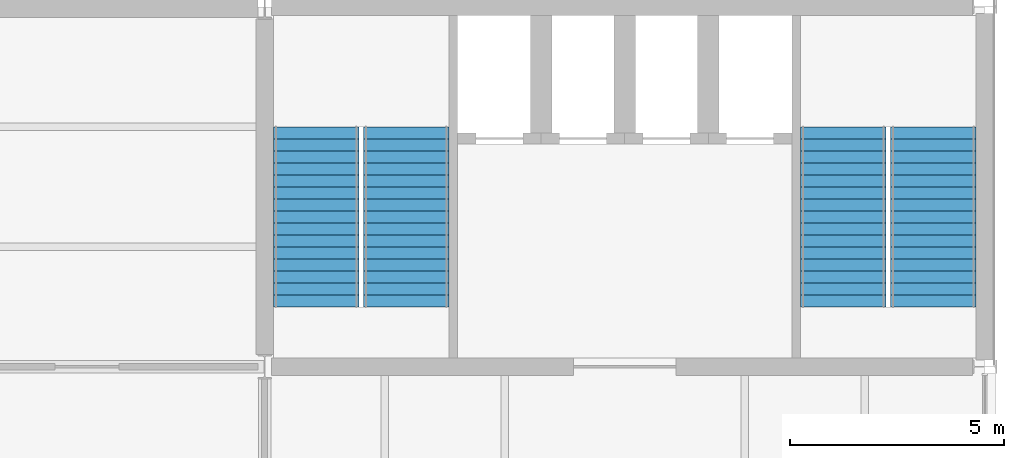
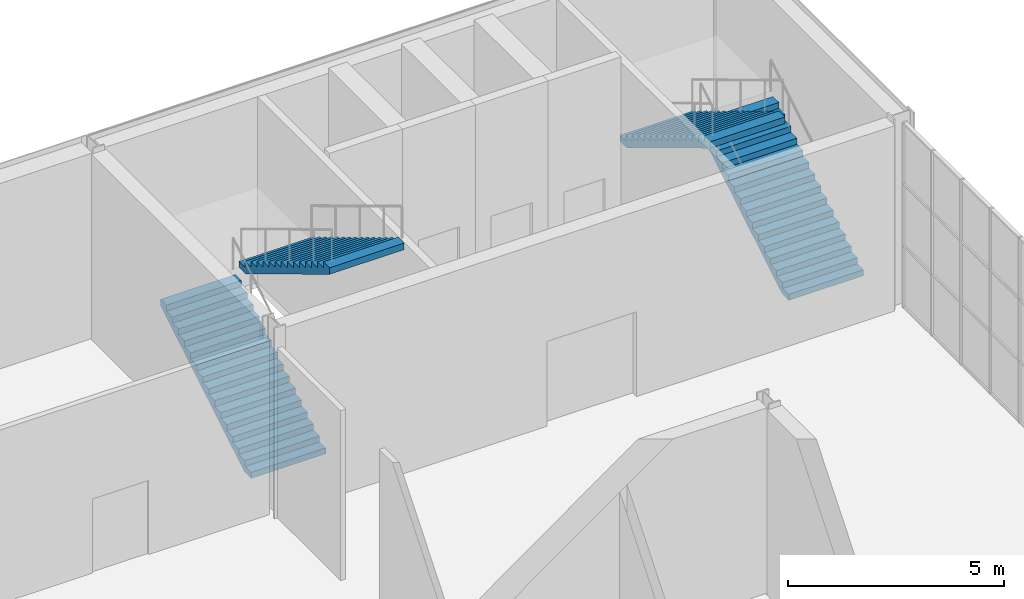
# One storey, part 46 of 64: 4 stair flights, 2 elements without a shape of their own.
"""IFC4 building model written with IfcOpenShell, lengths in metres."""

import ifcopenshell
import ifcopenshell.guid

model = None  # the IFC model being written
_history = None  # IfcOwnerHistory: only IFC2X3 demands one
_inside = {}  # id of a spatial element -> (the spatial element, [elements in it])
_under = {}  # id of a project, library or spatial element -> (it, [spatial elements below it])
_declared = {}  # id of a project -> (the project, [libraries it declares])
_typed = {}  # id of a type object -> (the type object, [elements of that type])
_made_of = {}  # id of a material, layer set ... -> (it, [elements and type objects made of it])


def new_model(schema):
    """Start an empty IFC model of exactly this schema.

    Asked for "IFC4X3", IfcOpenShell would pick the latest addendum, in which some entities
    have other attributes; the version numbers below select the first issue.
    IFC2X3 requires an IfcOwnerHistory on every rooted entity: one is made here for all.
    """
    global model, _history
    if schema == "IFC4X3":
        model = ifcopenshell.file(schema_version=(4, 3, 0, 0))
    else:
        model = ifcopenshell.file(schema=schema)
    _inside.clear()
    _under.clear()
    _declared.clear()
    _typed.clear()
    _made_of.clear()
    _history = None
    if model.schema == "IFC2X3":
        org = make("IfcOrganization", Name="unknown")
        user = make(
            "IfcPersonAndOrganization",
            ThePerson=make("IfcPerson", FamilyName="unknown"),
            TheOrganization=org,
        )
        app = make(
            "IfcApplication",
            ApplicationDeveloper=org,
            Version="unknown",
            ApplicationFullName="unknown",
            ApplicationIdentifier="unknown",
        )
        _history = make(
            "IfcOwnerHistory",
            OwningUser=user,
            OwningApplication=app,
            ChangeAction="ADDED",
            CreationDate=0,
        )
    return model


def make(cls, **values):
    """One entity of the class cls with the attributes given. An attribute that is None is left unset."""
    return model.create_entity(
        cls, **{name: value for name, value in values.items() if value is not None}
    )


def rooted(cls, **values):
    """An entity with a GlobalId (a new one), such as an element, a storey or a relation."""
    return make(cls, GlobalId=ifcopenshell.guid.new(), OwnerHistory=_history, **values)


def si_unit(unit_type, name, prefix=None):
    """IfcSIUnit, for example si_unit("LENGTHUNIT", "METRE", prefix="MILLI")."""
    return make("IfcSIUnit", UnitType=unit_type, Prefix=prefix, Name=name)


def assignment(units):
    """IfcUnitAssignment: the units of a project."""
    return None if units is None else make("IfcUnitAssignment", Units=units)


def point(xyz):
    """IfcCartesianPoint."""
    return None if xyz is None else make("IfcCartesianPoint", Coordinates=xyz)


def direction(xyz):
    """IfcDirection."""
    return None if xyz is None else make("IfcDirection", DirectionRatios=xyz)


def frame(location, z_axis=None, x_axis=None):
    """IfcAxis2Placement3D, a coordinate frame: its origin and axes. An axis left out is left unset."""
    return make(
        "IfcAxis2Placement3D",
        Location=point(location),
        Axis=direction(z_axis),
        RefDirection=direction(x_axis),
    )


def origin():
    """The frame at (0, 0, 0) with its axes left unset."""
    return frame((0.0, 0.0, 0.0))


def place(relative_to, where):
    """IfcLocalPlacement: puts the frame where relative to a parent placement (None: the world)."""
    return make(
        "IfcLocalPlacement", PlacementRelTo=relative_to, RelativePlacement=where
    )


def context(
    kind, dimensions, precision=None, world=None, true_north=None, identifier=None
):
    """IfcGeometricRepresentationContext, for example the 3D "Model" context."""
    return make(
        "IfcGeometricRepresentationContext",
        ContextIdentifier=identifier,
        ContextType=kind,
        CoordinateSpaceDimension=dimensions,
        Precision=precision,
        WorldCoordinateSystem=world,
        TrueNorth=true_north,
    )


def subcontext(parent, identifier, kind, view, scale=None):
    """IfcGeometricRepresentationSubContext, for example "Body" below "Model"."""
    return make(
        "IfcGeometricRepresentationSubContext",
        ContextIdentifier=identifier,
        ContextType=kind,
        ParentContext=parent,
        TargetScale=scale,
        TargetView=view,
    )


def project(units=None, contexts=None):
    """IfcProject with its units and contexts."""
    return rooted(
        "IfcProject",
        Name="project",
        RepresentationContexts=contexts,
        UnitsInContext=assignment(units),
    )


def spatial(cls, under=None, at=None, **own):
    """A site, building, storey or space (cls), placed at a placement, below another one or the project."""
    s = rooted(cls, ObjectPlacement=at, **own)
    if under is not None:
        _under.setdefault(under.id(), (under, []))[1].append(s)
    return s


def polyline(points):
    """IfcPolyline through the points."""
    return make("IfcPolyline", Points=[point(p) for p in points])


def outline(outer, holes=None, kind="AREA"):
    """IfcArbitraryClosedProfileDef: a profile drawn as a closed curve; with holes, ...WithVoids."""
    if holes is None:
        return make("IfcArbitraryClosedProfileDef", ProfileType=kind, OuterCurve=outer)
    return make(
        "IfcArbitraryProfileDefWithVoids",
        ProfileType=kind,
        OuterCurve=outer,
        InnerCurves=holes,
    )


def extrude(swept, where, along, depth):
    """IfcExtrudedAreaSolid: the profile swept, set in the frame where, extruded along a direction by depth."""
    return make(
        "IfcExtrudedAreaSolid",
        SweptArea=swept,
        Position=where,
        ExtrudedDirection=direction(along),
        Depth=depth,
    )


def shape(context_of_items, identifier, shape_type, items):
    """IfcShapeRepresentation: the items that make up one representation, for example the "Body"."""
    return make(
        "IfcShapeRepresentation",
        ContextOfItems=context_of_items,
        RepresentationIdentifier=identifier,
        RepresentationType=shape_type,
        Items=items,
    )


def material(Name=None, Category=None):
    """IfcMaterial."""
    return make("IfcMaterial", Name=Name, Category=Category)


def made_of(thing, what):
    """Note that an element or type object is made of a material, layer set ...; save() writes the relation."""
    if what is not None:
        _made_of.setdefault(what.id(), (what, []))[1].append(thing)
    return thing


def type_object(cls, material=None, **own):
    """A type object (cls), such as IfcWallType, which elements share."""
    return made_of(rooted(cls, **own), material)


def element(
    cls,
    number,
    at=None,
    inside=None,
    cuts=None,
    type_object=None,
    material=None,
    context=None,
    identifier="Body",
    shape_type=None,
    held_by="IfcProductDefinitionShape",
    body=None,
    shapes=None,
    **own,
):
    """One element of the class cls, such as IfcWall. Its Tag is "e" and its number.

    at: its placement. inside: the storey or other place that contains it. cuts: it is an
    opening in that element (IfcRelVoidsElement). A single representation is given by context,
    identifier, shape_type and body (its items); several are given by shapes. held_by: the class
    of the entity that holds the representations. save() writes the other relations.
    """
    e = rooted(cls, Tag="e%d" % number, ObjectPlacement=at, **own)
    if body is not None:
        shapes = [shape(context, identifier, shape_type, body)]
    if shapes is not None:
        e.Representation = make(held_by, Representations=shapes)
    if inside is not None:
        _inside.setdefault(inside.id(), (inside, []))[1].append(e)
    if cuts is not None:
        rooted(
            "IfcRelVoidsElement", RelatingBuildingElement=cuts, RelatedOpeningElement=e
        )
    if type_object is not None:
        _typed.setdefault(type_object.id(), (type_object, []))[1].append(e)
    return made_of(e, material)


def aggregate(whole, parts):
    """IfcRelAggregates: a whole, such as a stair, and the parts it consists of."""
    return rooted("IfcRelAggregates", RelatingObject=whole, RelatedObjects=parts)


def save(model, path):
    """Write the relations noted so far, then the file.

    IfcRelAggregates (storeys below a building ...), IfcRelContainedInSpatialStructure (elements
    in a storey), IfcRelDefinesByType, IfcRelAssociatesMaterial and IfcRelDeclares: one each for
    every whole, place, type object, material and project.
    """
    for whole, parts in _under.values():
        aggregate(whole, parts)
    for where, things in _inside.values():
        rooted(
            "IfcRelContainedInSpatialStructure",
            RelatedElements=things,
            RelatingStructure=where,
        )
    for kind, things in _typed.values():
        rooted("IfcRelDefinesByType", RelatedObjects=things, RelatingType=kind)
    for what, things in _made_of.values():
        rooted("IfcRelAssociatesMaterial", RelatedObjects=things, RelatingMaterial=what)
    for by, libraries in _declared.values():
        rooted("IfcRelDeclares", RelatingContext=by, RelatedDefinitions=libraries)
    model.write(path)


model = new_model("IFC4")

# Units and contexts
model_context = context("Model", 3, precision=1e-05, world=origin(), true_north=direction((0.0, 1.0)))
body_context = subcontext(model_context, "Body", "Model", "MODEL_VIEW")
ifc_project = project(units=[si_unit("LENGTHUNIT", "METRE"), si_unit("AREAUNIT", "SQUARE_METRE"), si_unit("VOLUMEUNIT", "CUBIC_METRE"), si_unit("PLANEANGLEUNIT", "RADIAN"), si_unit("MASSUNIT", "GRAM", prefix="KILO")], contexts=[model_context])

# Site, building, storey
site_placement = place(None, origin())
site = spatial("IfcSite", under=ifc_project, at=site_placement, CompositionType="ELEMENT")
building_placement = place(site_placement, origin())
building = spatial("IfcBuilding", under=site, at=building_placement, Name="Galleria Vessillo Department Store", CompositionType="ELEMENT")
storey_placement = place(building_placement, frame((0.0, 0.0, 6.0)))
storey = spatial("IfcBuildingStorey", under=building, at=storey_placement, Name="L01", CompositionType="ELEMENT", Elevation=6.0)

# Stair, stair flights
ifc_material_1 = material(Name="Concrete C32/40", Category="concrete")
stair_type = type_object("IfcStairType", Name="Half-turn escape stair 2000 mm, 32 risers of 169 mm", PredefinedType="HALF_TURN_STAIR", material=ifc_material_1)
stair_1_placement = place(storey_placement, origin())
stair_1 = element("IfcStair", 1, at=stair_1_placement, inside=storey, type_object=stair_type, Name="Stair ST8 L01", PredefinedType="HALF_TURN_STAIR")
ifc_material_2 = material(Name="Concrete C32/40", Category="concrete")
stair_flight_type = type_object("IfcStairFlightType", Name="Stair flight 2000 mm, 16 risers of 169 mm", PredefinedType="STRAIGHT", material=ifc_material_2)
stair_flight_1_placement = place(storey_placement, frame((102.0, 55.99951171875, 0.0), z_axis=(0.0, 0.0, 1.0), x_axis=(0.0, 1.0, 0.0)))
stair_flight_1 = element("IfcStairFlight", 2, at=stair_flight_1_placement, type_object=stair_flight_type, Name="ST8 flight 1", NumberOfRisers=16, NumberOfTreads=15, PredefinedType="STRAIGHT", RiserHeight=0.16875, TreadLength=0.28, context=body_context, shape_type="SweptSolid", body=[
    extrude(outline(polyline([(0.0, 0.0), (0.0, 0.168701171875), (0.280029296875, 0.168701171875), (0.280029296875, 0.33740234375), (0.56005859375, 0.33740234375), (0.56005859375, 0.50634765625), (0.840087890625, 0.50634765625), (0.840087890625, 0.675048828125), (1.1201171875, 0.675048828125), (1.1201171875, 0.84375), (1.39990234375, 0.84375), (1.39990234375, 1.012451171875), (1.679931640625, 1.012451171875), (1.679931640625, 1.18115234375), (1.9599609375, 1.18115234375), (1.9599609375, 1.35009765625), (2.239990234375, 1.35009765625), (2.239990234375, 1.518798828125), (2.52001953125, 1.518798828125), (2.52001953125, 1.6875), (2.800048828125, 1.6875), (2.800048828125, 1.856201171875), (3.080078125, 1.856201171875), (3.080078125, 2.02490234375), (3.360107421875, 2.02490234375), (3.360107421875, 2.19384765625), (3.639892578125, 2.19384765625), (3.639892578125, 2.362548828125), (3.919921875, 2.362548828125), (3.919921875, 2.53125), (4.199951171875, 2.53125), (4.199951171875, 2.699951171875), (4.199951171875, 2.344482421875), (0.309814453125, 0.0), (0.0, 0.0)])), frame((0.0, 1.0, 0.0), z_axis=(0.0, -1.0, 0.0), x_axis=(1.0, 0.0, 0.0)), (0.0, 0.0, 1.0), 2.0),
])
stair_flight_2_placement = place(storey_placement, frame((104.10009765625, 60.199462890625, 2.699951171875), z_axis=(0.0, 0.0, 1.0), x_axis=(0.0, -1.0, 0.0)))
stair_flight_2 = element("IfcStairFlight", 3, at=stair_flight_2_placement, type_object=stair_flight_type, Name="ST8 flight 2", NumberOfRisers=16, NumberOfTreads=15, PredefinedType="STRAIGHT", RiserHeight=0.16875, TreadLength=0.28, context=body_context, shape_type="SweptSolid", body=[
    extrude(outline(polyline([(0.0, 0.0), (0.0, 0.168701171875), (0.280029296875, 0.168701171875), (0.280029296875, 0.33740234375), (0.56005859375, 0.33740234375), (0.56005859375, 0.50634765625), (0.840087890625, 0.50634765625), (0.840087890625, 0.675048828125), (1.1201171875, 0.675048828125), (1.1201171875, 0.84375), (1.39990234375, 0.84375), (1.39990234375, 1.012451171875), (1.679931640625, 1.012451171875), (1.679931640625, 1.18115234375), (1.9599609375, 1.18115234375), (1.9599609375, 1.35009765625), (2.239990234375, 1.35009765625), (2.239990234375, 1.518798828125), (2.52001953125, 1.518798828125), (2.52001953125, 1.6875), (2.800048828125, 1.6875), (2.800048828125, 1.856201171875), (3.080078125, 1.856201171875), (3.080078125, 2.02490234375), (3.360107421875, 2.02490234375), (3.360107421875, 2.19384765625), (3.639892578125, 2.19384765625), (3.639892578125, 2.362548828125), (3.919921875, 2.362548828125), (3.919921875, 2.53125), (4.199951171875, 2.53125), (4.199951171875, 2.699951171875), (4.199951171875, 2.344482421875), (0.309814453125, 0.0), (0.0, 0.0)])), frame((0.0, 1.0, 0.0), z_axis=(0.0, -1.0, 0.0), x_axis=(1.0, 0.0, 0.0)), (0.0, 0.0, 1.0), 2.0),
])
aggregate(stair_1, [stair_flight_1, stair_flight_2])

stair_2_placement = place(storey_placement, origin())
stair_2 = element("IfcStair", 4, at=stair_2_placement, inside=storey, type_object=stair_type, Name="Stair ST9 L01", PredefinedType="HALF_TURN_STAIR")
stair_flight_3_placement = place(storey_placement, frame((116.39990234375, 55.99951171875, 0.0), z_axis=(0.0, 0.0, 1.0), x_axis=(0.0, 1.0, 0.0)))
stair_flight_3 = element("IfcStairFlight", 5, at=stair_flight_3_placement, type_object=stair_flight_type, Name="ST9 flight 1", NumberOfRisers=16, NumberOfTreads=15, PredefinedType="STRAIGHT", RiserHeight=0.16875, TreadLength=0.28, context=body_context, shape_type="SweptSolid", body=[
    extrude(outline(polyline([(0.0, 0.0), (0.0, 0.168701171875), (0.280029296875, 0.168701171875), (0.280029296875, 0.33740234375), (0.56005859375, 0.33740234375), (0.56005859375, 0.50634765625), (0.840087890625, 0.50634765625), (0.840087890625, 0.675048828125), (1.1201171875, 0.675048828125), (1.1201171875, 0.84375), (1.39990234375, 0.84375), (1.39990234375, 1.012451171875), (1.679931640625, 1.012451171875), (1.679931640625, 1.18115234375), (1.9599609375, 1.18115234375), (1.9599609375, 1.35009765625), (2.239990234375, 1.35009765625), (2.239990234375, 1.518798828125), (2.52001953125, 1.518798828125), (2.52001953125, 1.6875), (2.800048828125, 1.6875), (2.800048828125, 1.856201171875), (3.080078125, 1.856201171875), (3.080078125, 2.02490234375), (3.360107421875, 2.02490234375), (3.360107421875, 2.19384765625), (3.639892578125, 2.19384765625), (3.639892578125, 2.362548828125), (3.919921875, 2.362548828125), (3.919921875, 2.53125), (4.199951171875, 2.53125), (4.199951171875, 2.699951171875), (4.199951171875, 2.344482421875), (0.309814453125, 0.0), (0.0, 0.0)])), frame((0.0, 1.0, 0.0), z_axis=(0.0, -1.0, 0.0), x_axis=(1.0, 0.0, 0.0)), (0.0, 0.0, 1.0), 2.0),
])
stair_flight_4_placement = place(storey_placement, frame((114.300048828125, 60.199462890625, 2.699951171875), z_axis=(0.0, 0.0, 1.0), x_axis=(0.0, -1.0, 0.0)))
stair_flight_4 = element("IfcStairFlight", 6, at=stair_flight_4_placement, type_object=stair_flight_type, Name="ST9 flight 2", NumberOfRisers=16, NumberOfTreads=15, PredefinedType="STRAIGHT", RiserHeight=0.16875, TreadLength=0.28, context=body_context, shape_type="SweptSolid", body=[
    extrude(outline(polyline([(0.0, 0.0), (0.0, 0.168701171875), (0.280029296875, 0.168701171875), (0.280029296875, 0.33740234375), (0.56005859375, 0.33740234375), (0.56005859375, 0.50634765625), (0.840087890625, 0.50634765625), (0.840087890625, 0.675048828125), (1.1201171875, 0.675048828125), (1.1201171875, 0.84375), (1.39990234375, 0.84375), (1.39990234375, 1.012451171875), (1.679931640625, 1.012451171875), (1.679931640625, 1.18115234375), (1.9599609375, 1.18115234375), (1.9599609375, 1.35009765625), (2.239990234375, 1.35009765625), (2.239990234375, 1.518798828125), (2.52001953125, 1.518798828125), (2.52001953125, 1.6875), (2.800048828125, 1.6875), (2.800048828125, 1.856201171875), (3.080078125, 1.856201171875), (3.080078125, 2.02490234375), (3.360107421875, 2.02490234375), (3.360107421875, 2.19384765625), (3.639892578125, 2.19384765625), (3.639892578125, 2.362548828125), (3.919921875, 2.362548828125), (3.919921875, 2.53125), (4.199951171875, 2.53125), (4.199951171875, 2.699951171875), (4.199951171875, 2.344482421875), (0.309814453125, 0.0), (0.0, 0.0)])), frame((0.0, 1.0, 0.0), z_axis=(0.0, -1.0, 0.0), x_axis=(1.0, 0.0, 0.0)), (0.0, 0.0, 1.0), 2.0),
])
aggregate(stair_2, [stair_flight_3, stair_flight_4])

save(model, "model.ifc")
